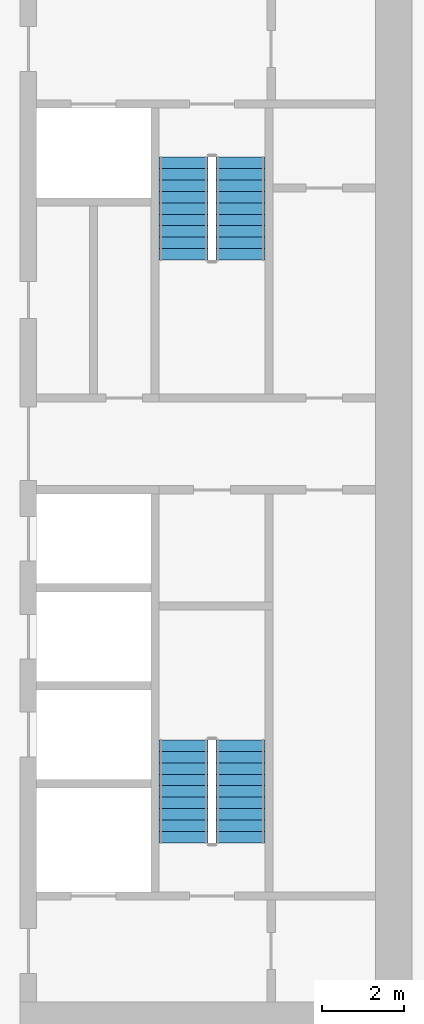
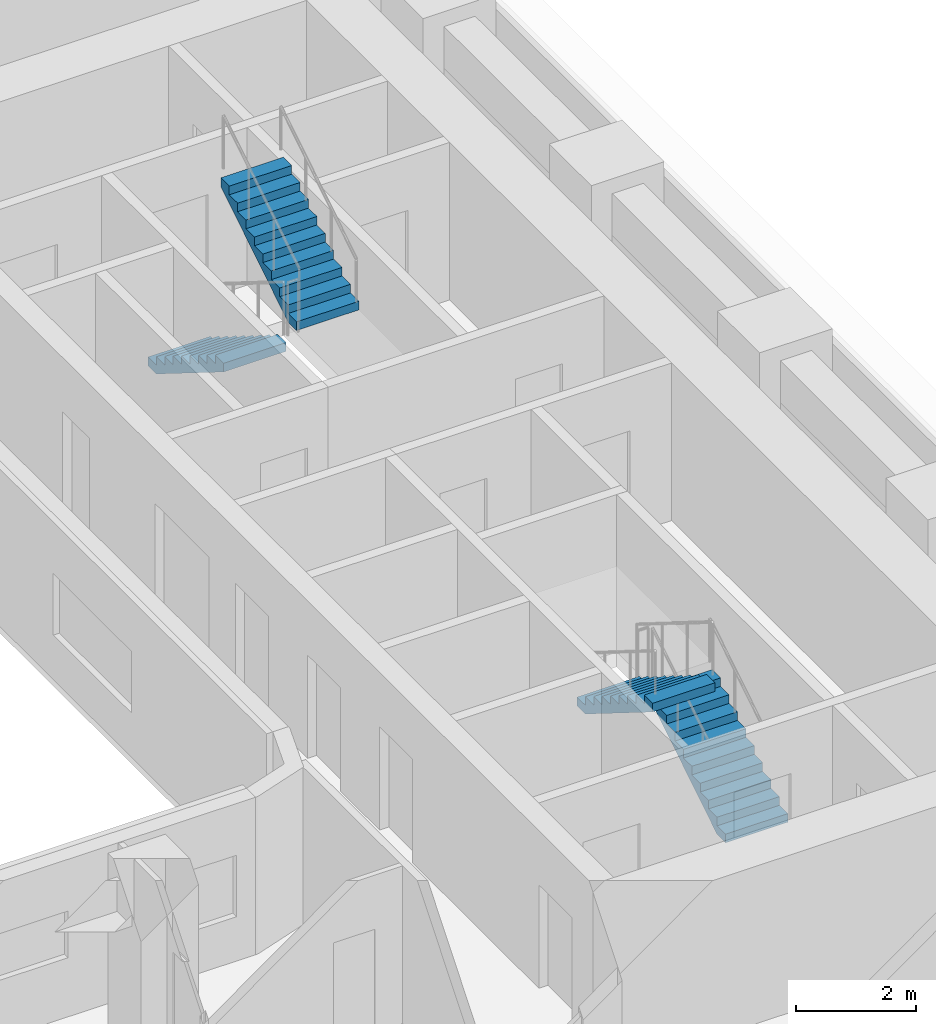
# One storey, part 11 of 22: 4 stair flights, 2 elements without a shape of their own.
"""IFC4 building model written with IfcOpenShell, lengths in metres."""

from ifc_helpers import new_model, si_unit, direction, frame, origin, place, context, subcontext, project, spatial, polyline, outline, extrude, material, type_object, element, aggregate, save


model = new_model("IFC4")

# Units and contexts
model_context = context("Model", 3, precision=1e-05, world=origin(), true_north=direction((0.0, 1.0)))
body_context = subcontext(model_context, "Body", "Model", "MODEL_VIEW")
ifc_project = project(units=[si_unit("LENGTHUNIT", "METRE"), si_unit("AREAUNIT", "SQUARE_METRE"), si_unit("VOLUMEUNIT", "CUBIC_METRE"), si_unit("PLANEANGLEUNIT", "RADIAN"), si_unit("MASSUNIT", "GRAM", prefix="KILO")], contexts=[model_context])

# Site, building, storey
site_placement = place(None, origin())
site = spatial("IfcSite", under=ifc_project, at=site_placement, CompositionType="ELEMENT")
building_placement = place(site_placement, origin())
building = spatial("IfcBuilding", under=site, at=building_placement, Name="Kiln Ring Residences", CompositionType="ELEMENT")
storey_placement = place(building_placement, frame((0.0, 0.0, 62.0)))
storey = spatial("IfcBuildingStorey", under=building, at=storey_placement, Name="L15", CompositionType="ELEMENT", Elevation=62.0)

# Stair, stair flights
ifc_material_1 = material(Name="Concrete C40/50", Category="concrete")
stair_type = type_object("IfcStairType", Name="CORE-STAIR", PredefinedType="HALF_TURN_STAIR", material=ifc_material_1)
placement = place(storey_placement, origin())
stair_1 = element("IfcStair", 1, at=placement, inside=storey, type_object=stair_type, Name="L15 stair E-STN", PredefinedType="HALF_TURN_STAIR")
ifc_material_2 = material(Name="Concrete C40/50", Category="concrete")
stair_flight_type = type_object("IfcStairFlightType", Name="CORE-STAIR-FLIGHT", PredefinedType="STRAIGHT", material=ifc_material_2)
stair_flight_1_placement = place(storey_placement, frame((21.39990234375, 8.39990234375, 0.0), z_axis=(0.0, 0.0, 1.0), x_axis=(0.0, -1.0, 0.0)))
stair_flight_1 = element("IfcStairFlight", 2, at=stair_flight_1_placement, type_object=stair_flight_type, Name="E-STN flight 1", NumberOfRisers=10, NumberOfTreads=9, PredefinedType="STRAIGHT", RiserHeight=0.175, TreadLength=0.28, context=body_context, shape_type="SweptSolid", body=[
    extrude(outline(polyline([(0.0, 0.0), (0.0, 0.175048828125), (0.280029296875, 0.175048828125), (0.280029296875, 0.35009765625), (0.56005859375, 0.35009765625), (0.56005859375, 0.52490234375), (0.840087890625, 0.52490234375), (0.840087890625, 0.699951171875), (1.1201171875, 0.699951171875), (1.1201171875, 0.875), (1.39990234375, 0.875), (1.39990234375, 1.050048828125), (1.679931640625, 1.050048828125), (1.679931640625, 1.22509765625), (1.9599609375, 1.22509765625), (1.9599609375, 1.39990234375), (2.239990234375, 1.39990234375), (2.239990234375, 1.574951171875), (2.52001953125, 1.574951171875), (2.52001953125, 1.75), (2.52001953125, 1.398193359375), (0.28271484375, 0.0), (0.0, 0.0)])), frame((0.0, 0.60009765625, 0.0), z_axis=(0.0, -1.0, 0.0), x_axis=(1.0, 0.0, 0.0)), (0.0, 0.0, 1.0), 1.199951171875),
])
stair_flight_2_placement = place(storey_placement, frame((22.800048828125, 5.8798828125, 1.75), z_axis=(0.0, 0.0, 1.0), x_axis=(0.0, 1.0, 0.0)))
stair_flight_2 = element("IfcStairFlight", 3, at=stair_flight_2_placement, type_object=stair_flight_type, Name="E-STN flight 2", NumberOfRisers=10, NumberOfTreads=9, PredefinedType="STRAIGHT", RiserHeight=0.175, TreadLength=0.28, context=body_context, shape_type="SweptSolid", body=[
    extrude(outline(polyline([(0.0, 0.0), (0.0, 0.175048828125), (0.280029296875, 0.175048828125), (0.280029296875, 0.35009765625), (0.56005859375, 0.35009765625), (0.56005859375, 0.52490234375), (0.840087890625, 0.52490234375), (0.840087890625, 0.699951171875), (1.1201171875, 0.699951171875), (1.1201171875, 0.875), (1.39990234375, 0.875), (1.39990234375, 1.050048828125), (1.679931640625, 1.050048828125), (1.679931640625, 1.22509765625), (1.9599609375, 1.22509765625), (1.9599609375, 1.39990234375), (2.239990234375, 1.39990234375), (2.239990234375, 1.574951171875), (2.52001953125, 1.574951171875), (2.52001953125, 1.75), (2.52001953125, 1.398193359375), (0.28271484375, 0.0), (0.0, 0.0)])), frame((0.0, 0.60009765625, 0.0), z_axis=(0.0, -1.0, 0.0), x_axis=(1.0, 0.0, 0.0)), (0.0, 0.0, 1.0), 1.199951171875),
])
aggregate(stair_1, [stair_flight_1, stair_flight_2])

stair_2 = element("IfcStair", 4, at=placement, inside=storey, type_object=stair_type, Name="L15 stair E-STS", PredefinedType="HALF_TURN_STAIR")
stair_flight_3_placement = place(storey_placement, frame((22.800048828125, -8.39990234375, 0.0), z_axis=(0.0, 0.0, 1.0), x_axis=(0.0, 1.0, 0.0)))
stair_flight_3 = element("IfcStairFlight", 5, at=stair_flight_3_placement, type_object=stair_flight_type, Name="E-STS flight 1", NumberOfRisers=10, NumberOfTreads=9, PredefinedType="STRAIGHT", RiserHeight=0.175, TreadLength=0.28, context=body_context, shape_type="SweptSolid", body=[
    extrude(outline(polyline([(0.0, 0.0), (0.0, 0.175048828125), (0.280029296875, 0.175048828125), (0.280029296875, 0.35009765625), (0.56005859375, 0.35009765625), (0.56005859375, 0.52490234375), (0.840087890625, 0.52490234375), (0.840087890625, 0.699951171875), (1.1201171875, 0.699951171875), (1.1201171875, 0.875), (1.39990234375, 0.875), (1.39990234375, 1.050048828125), (1.679931640625, 1.050048828125), (1.679931640625, 1.22509765625), (1.9599609375, 1.22509765625), (1.9599609375, 1.39990234375), (2.239990234375, 1.39990234375), (2.239990234375, 1.574951171875), (2.52001953125, 1.574951171875), (2.52001953125, 1.75), (2.52001953125, 1.398193359375), (0.28271484375, 0.0), (0.0, 0.0)])), frame((0.0, 0.60009765625, 0.0), z_axis=(0.0, -1.0, 0.0), x_axis=(1.0, 0.0, 0.0)), (0.0, 0.0, 1.0), 1.199951171875),
])
stair_flight_4_placement = place(storey_placement, frame((21.39990234375, -5.8798828125, 1.75), z_axis=(0.0, 0.0, 1.0), x_axis=(0.0, -1.0, 0.0)))
stair_flight_4 = element("IfcStairFlight", 6, at=stair_flight_4_placement, type_object=stair_flight_type, Name="E-STS flight 2", NumberOfRisers=10, NumberOfTreads=9, PredefinedType="STRAIGHT", RiserHeight=0.175, TreadLength=0.28, context=body_context, shape_type="SweptSolid", body=[
    extrude(outline(polyline([(0.0, 0.0), (0.0, 0.175048828125), (0.280029296875, 0.175048828125), (0.280029296875, 0.35009765625), (0.56005859375, 0.35009765625), (0.56005859375, 0.52490234375), (0.840087890625, 0.52490234375), (0.840087890625, 0.699951171875), (1.1201171875, 0.699951171875), (1.1201171875, 0.875), (1.39990234375, 0.875), (1.39990234375, 1.050048828125), (1.679931640625, 1.050048828125), (1.679931640625, 1.22509765625), (1.9599609375, 1.22509765625), (1.9599609375, 1.39990234375), (2.239990234375, 1.39990234375), (2.239990234375, 1.574951171875), (2.52001953125, 1.574951171875), (2.52001953125, 1.75), (2.52001953125, 1.398193359375), (0.28271484375, 0.0), (0.0, 0.0)])), frame((0.0, 0.60009765625, 0.0), z_axis=(0.0, -1.0, 0.0), x_axis=(1.0, 0.0, 0.0)), (0.0, 0.0, 1.0), 1.199951171875),
])
aggregate(stair_2, [stair_flight_3, stair_flight_4])

save(model, "model.ifc")
